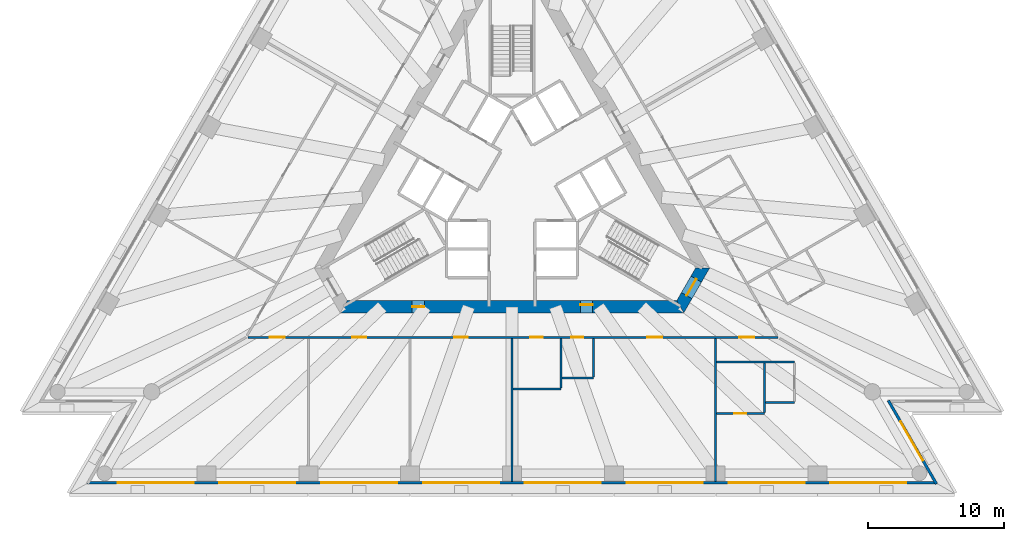
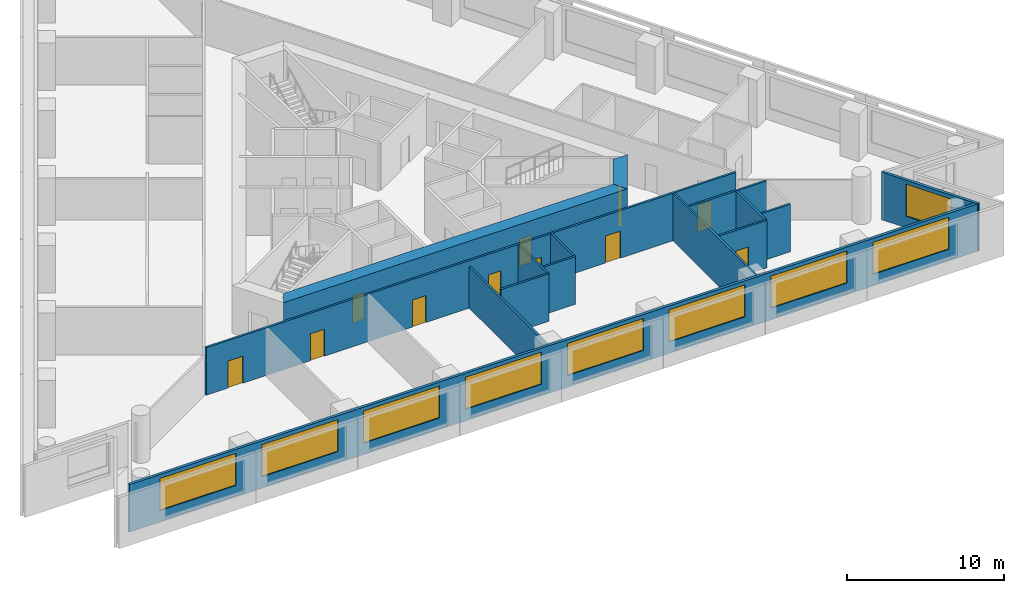
# One storey, part 4 of 9: 15 walls, 11 doors, 9 windows, 20 openings.
"""IFC4 building model written with IfcOpenShell, lengths in metres."""

from ifc_helpers import new_model, si_unit, direction, frame, frame_2d, origin, place, context, subcontext, project, spatial, polyline, rectangle, outline, extrude, material, layer, layer_set, layer_usage, type_object, element, fill, save


model = new_model("IFC4")

# Units and contexts
model_context = context("Model", 3, precision=1e-05, world=origin(), true_north=direction((0.0, 1.0)))
body_context = subcontext(model_context, "Body", "Model", "MODEL_VIEW")
ifc_project = project(units=[si_unit("LENGTHUNIT", "METRE"), si_unit("AREAUNIT", "SQUARE_METRE"), si_unit("VOLUMEUNIT", "CUBIC_METRE"), si_unit("PLANEANGLEUNIT", "RADIAN"), si_unit("MASSUNIT", "GRAM", prefix="KILO")], contexts=[model_context])

# Site, building, storey
site_placement = place(None, origin())
site = spatial("IfcSite", under=ifc_project, at=site_placement, CompositionType="ELEMENT")
building_placement = place(site_placement, origin())
building = spatial("IfcBuilding", under=site, at=building_placement, Name="Triada Interchange Tower", CompositionType="ELEMENT")
storey_placement = place(building_placement, frame((0.0, 0.0, 47.300048828125)))
storey = spatial("IfcBuildingStorey", under=building, at=storey_placement, Name="L09", CompositionType="ELEMENT", Elevation=47.300048828125)

# Wall, openings, doors
ifc_material_1 = material(Name="Concrete C70/85", Category="concrete")
ifc_layer_1 = layer(ifc_material_1, 0.89990234375)
ifc_layer_set_1 = layer_set([ifc_layer_1], Name="Core wall A 900")
wall_type_1 = type_object("IfcWallType", Name="Core wall A 900", PredefinedType="SHEAR", material=ifc_layer_set_1)
wall_1_placement = place(storey_placement, frame((-12.384033203125, -9.050048828125, -0.300048828125), z_axis=(0.0, 0.0, 1.0), x_axis=(1.0, 0.0, 0.0)))
wall_1 = element("IfcWall", 1, at=wall_1_placement, inside=storey, type_object=wall_type_1, Name="Core wall WA04 L09", PredefinedType="SHEAR", context=body_context, shape_type="SweptSolid", body=[
    extrude(outline(polyline([(-0.260009765625, -0.449951171875), (1.685302734375, -0.449951171875), (3.63037109375, -0.449951171875), (5.57568359375, -0.449951171875), (7.52099609375, -0.449951171875), (9.466064453125, -0.449951171875), (11.411376953125, -0.449951171875), (13.356689453125, -0.449951171875), (15.302001953125, -0.449951171875), (17.2470703125, -0.449951171875), (19.1923828125, -0.449951171875), (21.1376953125, -0.449951171875), (23.082763671875, -0.449951171875), (25.028076171875, -0.449951171875), (24.508056640625, 0.449951171875), (22.642822265625, 0.449951171875), (20.777587890625, 0.449951171875), (18.912353515625, 0.449951171875), (17.047119140625, 0.449951171875), (15.181884765625, 0.449951171875), (13.316650390625, 0.449951171875), (11.451416015625, 0.449951171875), (9.586181640625, 0.449951171875), (7.720947265625, 0.449951171875), (5.855712890625, 0.449951171875), (3.990478515625, 0.449951171875), (2.125244140625, 0.449951171875), (0.260009765625, 0.449951171875), (-0.260009765625, -0.449951171875)])), origin(), (0.0, 0.0, 1.0), 4.0),
])
opening_1_placement = place(wall_1_placement, frame((5.0400390625, 0.0, 0.300048828125)))
opening_1 = element("IfcOpeningElement", 2, at=opening_1_placement, cuts=wall_1, Name="Opening D09-40", PredefinedType="OPENING", context=body_context, shape_type="SweptSolid", body=[
    extrude(rectangle(XDim=0.89990234375, YDim=2.10009765625, at=frame_2d((0.449951171875, 1.050048828125))), frame((0.0, 0.4599609375, 0.0), z_axis=(0.0, -1.0, 0.0), x_axis=(1.0, 0.0, 0.0)), (0.0, 0.0, 1.0), 0.919921875),
])
opening_2_placement = place(wall_1_placement, frame((17.425048828125, 0.0, 0.300048828125)))
opening_2 = element("IfcOpeningElement", 3, at=opening_2_placement, cuts=wall_1, Name="Opening D09-41", PredefinedType="OPENING", context=body_context, shape_type="SweptSolid", body=[
    extrude(rectangle(XDim=0.89990234375, YDim=2.10009765625, at=frame_2d((0.449951171875, 1.050048828125))), frame((0.0, 0.4599609375, 0.0), z_axis=(0.0, -1.0, 0.0), x_axis=(1.0, 0.0, 0.0)), (0.0, 0.0, 1.0), 0.919921875),
])
ifc_material_2 = material(Name="Steel S235 door leaf", Category="steel")
door_type_1 = type_object("IfcDoorType", Name="SERVICE DOOR 900 EI2 45-C5S200", OperationType="NOTDEFINED", PredefinedType="DOOR", material=ifc_material_2)
door_1_placement = place(opening_1_placement, origin())
door_1 = element("IfcDoor", 4, at=door_1_placement, inside=storey, type_object=door_type_1, Name="Door D09-40 L09", OperationType="SINGLE_SWING_LEFT", OverallHeight=2.10009765625, OverallWidth=0.89990234375, PredefinedType="DOOR", context=body_context, shape_type="SweptSolid", body=[
    extrude(rectangle(XDim=0.89990234375, YDim=2.10009765625, at=frame_2d((0.449951171875, 1.050048828125))), frame((0.0, 0.02490234375, 0.0), z_axis=(0.0, -1.0, 0.0), x_axis=(1.0, 0.0, 0.0)), (0.0, 0.0, 1.0), 0.050048828125),
])
fill(opening_1, door_1)
door_2_placement = place(opening_2_placement, origin())
door_2 = element("IfcDoor", 5, at=door_2_placement, inside=storey, type_object=door_type_1, Name="Door D09-41 L09", OperationType="SINGLE_SWING_LEFT", OverallHeight=2.10009765625, OverallWidth=0.89990234375, PredefinedType="DOOR", context=body_context, shape_type="SweptSolid", body=[
    extrude(rectangle(XDim=0.89990234375, YDim=2.10009765625, at=frame_2d((0.449951171875, 1.050048828125))), frame((0.0, 0.1748046875, 0.0), z_axis=(0.0, -1.0, 0.0), x_axis=(1.0, 0.0, 0.0)), (0.0, 0.0, 1.0), 0.050048828125),
])
fill(opening_2, door_2)

# Wall, opening, door
wall_2_placement = place(storey_placement, frame((12.384033203125, -9.050048828125, -0.300048828125), z_axis=(0.0, 0.0, 1.0), x_axis=(0.500111984565, 0.865960739811, 0.0)))
wall_2 = element("IfcWall", 6, at=wall_2_placement, inside=storey, type_object=wall_type_1, Name="Core wall WA05 L09", PredefinedType="SHEAR", context=body_context, shape_type="SweptSolid", body=[
    extrude(outline(polyline([(-0.260009765625, -0.449951171875), (1.6455078125, -0.449462890625), (3.551025390625, -0.448974609375), (3.031005859375, 0.449951171875), (1.6455078125, 0.449951171875), (0.260009765625, 0.449951171875), (-0.260009765625, -0.449951171875)])), origin(), (0.0, 0.0, 1.0), 4.0),
])
opening_3_placement = place(wall_2_placement, frame((0.946044921875, 0.0, 0.300048828125)))
opening_3 = element("IfcOpeningElement", 7, at=opening_3_placement, cuts=wall_2, Name="Opening D09-38", PredefinedType="OPENING", context=body_context, shape_type="SweptSolid", body=[
    extrude(rectangle(XDim=1.39990234375, YDim=2.10009765625, at=frame_2d((0.699951171875, 1.050048828125))), frame((0.0, 0.4599609375, 0.0), z_axis=(0.0, -1.0, 0.0), x_axis=(1.0, 0.0, 0.0)), (0.0, 0.0, 1.0), 0.919921875),
])
door_type_2 = type_object("IfcDoorType", Name="STAIR DOOR 1400 EI2 90-C5S200", OperationType="DOUBLE_DOOR_SINGLE_SWING", PredefinedType="DOOR", material=ifc_material_2)
door_3_placement = place(opening_3_placement, origin())
door_3 = element("IfcDoor", 8, at=door_3_placement, inside=storey, type_object=door_type_2, Name="Door D09-38 L09", OperationType="DOUBLE_DOOR_SINGLE_SWING", OverallHeight=2.10009765625, OverallWidth=1.39990234375, PredefinedType="DOOR", context=body_context, shape_type="SweptSolid", body=[
    extrude(rectangle(XDim=1.39990234375, YDim=2.10009765625, at=frame_2d((0.699951171875, 1.050048828125))), frame((0.0, 0.02490234375, 0.0), z_axis=(0.0, -1.0, 0.0), x_axis=(1.0, 0.0, 0.0)), (0.0, 0.0, 1.0), 0.050048828125),
])
fill(opening_3, door_3)

# Wall, openings, windows
ifc_material_3 = material(Name="Cement board")
ifc_layer_2 = layer(ifc_material_3, 0.02001953125, Name="Cement board cladding")
ifc_material_4 = material(Name="Sheathing board")
ifc_layer_3 = layer(ifc_material_4, 0.014892578125, Name="Sheathing board")
ifc_material_5 = material(Name="Mineral wool")
ifc_layer_4 = layer(ifc_material_5, 0.14990234375, Name="Mineral wool between steel studs")
ifc_material_6 = material(Name="Gypsum board")
ifc_layer_5 = layer(ifc_material_6, 0.014892578125, Name="Plasterboard lining")
ifc_layer_set_2 = layer_set([ifc_layer_2, ifc_layer_3, ifc_layer_4, ifc_layer_5], Name="External wall 200")
ifc_layer_usage = layer_usage(ifc_layer_set_2, "AXIS2", "POSITIVE", -0.10009765625)
wall_type_2 = type_object("IfcWallType", Name="External wall 200", PredefinedType="ELEMENTEDWALL", material=ifc_layer_set_2)
wall_3_placement = place(storey_placement, frame((-31.283935546875, -22.007080078125, 0.0), z_axis=(0.0, 0.0, 1.0), x_axis=(1.0, 0.0, 0.0)))
wall_3 = element("IfcWall", 9, at=wall_3_placement, inside=storey, type_object=wall_type_2, material=ifc_layer_usage, Name="External wall L09 S", PredefinedType="ELEMENTEDWALL", context=body_context, shape_type="SweptSolid", body=[
    extrude(rectangle(XDim=62.5478515625, YDim=0.199951171875, at=frame_2d((31.27392578125, 0.0))), origin(), (0.0, 0.0, 1.0), 3.699951171875),
])
opening_4_placement = place(wall_3_placement, frame((2.2509765625, 0.0, 0.89990234375)))
opening_4 = element("IfcOpeningElement", 10, at=opening_4_placement, cuts=wall_3, Name="Opening WA11", PredefinedType="OPENING", context=body_context, shape_type="SweptSolid", body=[
    extrude(rectangle(XDim=5.60009765625, YDim=2.5, at=frame_2d((2.800048828125, 1.25))), frame((0.0, 0.10986328125, 0.0), z_axis=(0.0, -1.0, 0.0), x_axis=(1.0, 0.0, 0.0)), (0.0, 0.0, 1.0), 0.219970703125),
])
opening_5_placement = place(wall_3_placement, frame((9.74609375, 0.0, 0.89990234375)))
opening_5 = element("IfcOpeningElement", 11, at=opening_5_placement, cuts=wall_3, Name="Opening WA12", PredefinedType="OPENING", context=body_context, shape_type="SweptSolid", body=[
    extrude(rectangle(XDim=5.60009765625, YDim=2.5, at=frame_2d((2.800048828125, 1.25))), frame((0.0, 0.10986328125, 0.0), z_axis=(0.0, -1.0, 0.0), x_axis=(1.0, 0.0, 0.0)), (0.0, 0.0, 1.0), 0.219970703125),
])
opening_6_placement = place(wall_3_placement, frame((17.240966796875, 0.0, 0.89990234375)))
opening_6 = element("IfcOpeningElement", 12, at=opening_6_placement, cuts=wall_3, Name="Opening WA13", PredefinedType="OPENING", context=body_context, shape_type="SweptSolid", body=[
    extrude(rectangle(XDim=5.60009765625, YDim=2.5, at=frame_2d((2.800048828125, 1.25))), frame((0.0, 0.10986328125, 0.0), z_axis=(0.0, -1.0, 0.0), x_axis=(1.0, 0.0, 0.0)), (0.0, 0.0, 1.0), 0.219970703125),
])
opening_7_placement = place(wall_3_placement, frame((24.736083984375, 0.0, 0.89990234375)))
opening_7 = element("IfcOpeningElement", 13, at=opening_7_placement, cuts=wall_3, Name="Opening WA14", PredefinedType="OPENING", context=body_context, shape_type="SweptSolid", body=[
    extrude(rectangle(XDim=5.60009765625, YDim=2.5, at=frame_2d((2.800048828125, 1.25))), frame((0.0, 0.10986328125, 0.0), z_axis=(0.0, -1.0, 0.0), x_axis=(1.0, 0.0, 0.0)), (0.0, 0.0, 1.0), 0.219970703125),
])
opening_8_placement = place(wall_3_placement, frame((32.23193359375, 0.0, 0.89990234375)))
opening_8 = element("IfcOpeningElement", 14, at=opening_8_placement, cuts=wall_3, Name="Opening WA15", PredefinedType="OPENING", context=body_context, shape_type="SweptSolid", body=[
    extrude(rectangle(XDim=5.60009765625, YDim=2.5, at=frame_2d((2.800048828125, 1.25))), frame((0.0, 0.10986328125, 0.0), z_axis=(0.0, -1.0, 0.0), x_axis=(1.0, 0.0, 0.0)), (0.0, 0.0, 1.0), 0.219970703125),
])
opening_9_placement = place(wall_3_placement, frame((39.72705078125, 0.0, 0.89990234375)))
opening_9 = element("IfcOpeningElement", 15, at=opening_9_placement, cuts=wall_3, Name="Opening WA16", PredefinedType="OPENING", context=body_context, shape_type="SweptSolid", body=[
    extrude(rectangle(XDim=5.60009765625, YDim=2.5, at=frame_2d((2.800048828125, 1.25))), frame((0.0, 0.10986328125, 0.0), z_axis=(0.0, -1.0, 0.0), x_axis=(1.0, 0.0, 0.0)), (0.0, 0.0, 1.0), 0.219970703125),
])
opening_10_placement = place(wall_3_placement, frame((47.221923828125, 0.0, 0.89990234375)))
opening_10 = element("IfcOpeningElement", 16, at=opening_10_placement, cuts=wall_3, Name="Opening WA17", PredefinedType="OPENING", context=body_context, shape_type="SweptSolid", body=[
    extrude(rectangle(XDim=5.60009765625, YDim=2.5, at=frame_2d((2.800048828125, 1.25))), frame((0.0, 0.10986328125, 0.0), z_axis=(0.0, -1.0, 0.0), x_axis=(1.0, 0.0, 0.0)), (0.0, 0.0, 1.0), 0.219970703125),
])
opening_11_placement = place(wall_3_placement, frame((54.717041015625, 0.0, 0.89990234375)))
opening_11 = element("IfcOpeningElement", 17, at=opening_11_placement, cuts=wall_3, Name="Opening WA18", PredefinedType="OPENING", context=body_context, shape_type="SweptSolid", body=[
    extrude(rectangle(XDim=5.60009765625, YDim=2.5, at=frame_2d((2.800048828125, 1.25))), frame((0.0, 0.10986328125, 0.0), z_axis=(0.0, -1.0, 0.0), x_axis=(1.0, 0.0, 0.0)), (0.0, 0.0, 1.0), 0.219970703125),
])
ifc_material_7 = material(Name="Double glazed aluminium window", Category="aluminium")
window_type_1 = type_object("IfcWindowType", Name="Ribbon window A face", PartitioningType="SINGLE_PANEL", PredefinedType="WINDOW", material=ifc_material_7)
window_1_placement = place(opening_4_placement, origin())
window_1 = element("IfcWindow", 18, at=window_1_placement, inside=storey, type_object=window_type_1, Name="Window L09 S 1", OverallHeight=2.5, OverallWidth=5.60009765625, PartitioningType="SINGLE_PANEL", PredefinedType="WINDOW", context=body_context, shape_type="SweptSolid", body=[
    extrude(rectangle(XDim=5.60009765625, YDim=2.5, at=frame_2d((2.800048828125, 1.25))), frame((0.0, 0.030029296875, 0.0), z_axis=(0.0, -1.0, 0.0), x_axis=(1.0, 0.0, 0.0)), (0.0, 0.0, 1.0), 0.06005859375),
])
fill(opening_4, window_1)
window_2_placement = place(opening_5_placement, origin())
window_2 = element("IfcWindow", 19, at=window_2_placement, inside=storey, type_object=window_type_1, Name="Window L09 S 2", OverallHeight=2.5, OverallWidth=5.60009765625, PartitioningType="SINGLE_PANEL", PredefinedType="WINDOW", context=body_context, shape_type="SweptSolid", body=[
    extrude(rectangle(XDim=5.60009765625, YDim=2.5, at=frame_2d((2.800048828125, 1.25))), frame((0.0, 0.030029296875, 0.0), z_axis=(0.0, -1.0, 0.0), x_axis=(1.0, 0.0, 0.0)), (0.0, 0.0, 1.0), 0.06005859375),
])
fill(opening_5, window_2)
window_3_placement = place(opening_6_placement, origin())
window_3 = element("IfcWindow", 20, at=window_3_placement, inside=storey, type_object=window_type_1, Name="Window L09 S 3", OverallHeight=2.5, OverallWidth=5.60009765625, PartitioningType="SINGLE_PANEL", PredefinedType="WINDOW", context=body_context, shape_type="SweptSolid", body=[
    extrude(rectangle(XDim=5.60009765625, YDim=2.5, at=frame_2d((2.800048828125, 1.25))), frame((0.0, 0.030029296875, 0.0), z_axis=(0.0, -1.0, 0.0), x_axis=(1.0, 0.0, 0.0)), (0.0, 0.0, 1.0), 0.06005859375),
])
fill(opening_6, window_3)
window_4_placement = place(opening_7_placement, origin())
window_4 = element("IfcWindow", 21, at=window_4_placement, inside=storey, type_object=window_type_1, Name="Window L09 S 4", OverallHeight=2.5, OverallWidth=5.60009765625, PartitioningType="SINGLE_PANEL", PredefinedType="WINDOW", context=body_context, shape_type="SweptSolid", body=[
    extrude(rectangle(XDim=5.60009765625, YDim=2.5, at=frame_2d((2.800048828125, 1.25))), frame((0.0, 0.030029296875, 0.0), z_axis=(0.0, -1.0, 0.0), x_axis=(1.0, 0.0, 0.0)), (0.0, 0.0, 1.0), 0.06005859375),
])
fill(opening_7, window_4)
window_5_placement = place(opening_8_placement, origin())
window_5 = element("IfcWindow", 22, at=window_5_placement, inside=storey, type_object=window_type_1, Name="Window L09 S 5", OverallHeight=2.5, OverallWidth=5.60009765625, PartitioningType="SINGLE_PANEL", PredefinedType="WINDOW", context=body_context, shape_type="SweptSolid", body=[
    extrude(rectangle(XDim=5.60009765625, YDim=2.5, at=frame_2d((2.800048828125, 1.25))), frame((0.0, 0.030029296875, 0.0), z_axis=(0.0, -1.0, 0.0), x_axis=(1.0, 0.0, 0.0)), (0.0, 0.0, 1.0), 0.06005859375),
])
fill(opening_8, window_5)
window_6_placement = place(opening_9_placement, origin())
window_6 = element("IfcWindow", 23, at=window_6_placement, inside=storey, type_object=window_type_1, Name="Window L09 S 6", OverallHeight=2.5, OverallWidth=5.60009765625, PartitioningType="SINGLE_PANEL", PredefinedType="WINDOW", context=body_context, shape_type="SweptSolid", body=[
    extrude(rectangle(XDim=5.60009765625, YDim=2.5, at=frame_2d((2.800048828125, 1.25))), frame((0.0, 0.030029296875, 0.0), z_axis=(0.0, -1.0, 0.0), x_axis=(1.0, 0.0, 0.0)), (0.0, 0.0, 1.0), 0.06005859375),
])
fill(opening_9, window_6)
window_7_placement = place(opening_10_placement, origin())
window_7 = element("IfcWindow", 24, at=window_7_placement, inside=storey, type_object=window_type_1, Name="Window L09 S 7", OverallHeight=2.5, OverallWidth=5.60009765625, PartitioningType="SINGLE_PANEL", PredefinedType="WINDOW", context=body_context, shape_type="SweptSolid", body=[
    extrude(rectangle(XDim=5.60009765625, YDim=2.5, at=frame_2d((2.800048828125, 1.25))), frame((0.0, 0.030029296875, 0.0), z_axis=(0.0, -1.0, 0.0), x_axis=(1.0, 0.0, 0.0)), (0.0, 0.0, 1.0), 0.06005859375),
])
fill(opening_10, window_7)
window_8_placement = place(opening_11_placement, origin())
window_8 = element("IfcWindow", 25, at=window_8_placement, inside=storey, type_object=window_type_1, Name="Window L09 S 8", OverallHeight=2.5, OverallWidth=5.60009765625, PartitioningType="SINGLE_PANEL", PredefinedType="WINDOW", context=body_context, shape_type="SweptSolid", body=[
    extrude(rectangle(XDim=5.60009765625, YDim=2.5, at=frame_2d((2.800048828125, 1.25))), frame((0.0, 0.030029296875, 0.0), z_axis=(0.0, -1.0, 0.0), x_axis=(1.0, 0.0, 0.0)), (0.0, 0.0, 1.0), 0.06005859375),
])
fill(opening_11, window_8)

# Wall, opening, window
wall_4_placement = place(storey_placement, frame((31.239013671875, -22.0849609375, 0.0), z_axis=(0.0, 0.0, 1.0), x_axis=(-0.499993928037, 0.866028909405, 0.0)))
wall_4 = element("IfcWall", 26, at=wall_4_placement, inside=storey, type_object=wall_type_2, material=ifc_layer_usage, Name="External wall L09 SE-1", PredefinedType="ELEMENTEDWALL", context=body_context, shape_type="SweptSolid", body=[
    extrude(rectangle(XDim=7.083984375, YDim=0.199951171875, at=frame_2d((3.5419921875, 0.0))), origin(), (0.0, 0.0, 1.0), 3.699951171875),
])
opening_12_placement = place(wall_4_placement, frame((1.989990234375, 0.0, 0.89990234375)))
opening_12 = element("IfcOpeningElement", 27, at=opening_12_placement, cuts=wall_4, Name="Opening WA19", PredefinedType="OPENING", context=body_context, shape_type="SweptSolid", body=[
    extrude(rectangle(XDim=3.300048828125, YDim=2.5, at=frame_2d((1.64990234375, 1.25))), frame((0.0, 0.10986328125, 0.0), z_axis=(0.0, -1.0, 0.0), x_axis=(1.0, 0.0, 0.0)), (0.0, 0.0, 1.0), 0.219970703125),
])
window_type_2 = type_object("IfcWindowType", Name="Ribbon window A pocket", PartitioningType="SINGLE_PANEL", PredefinedType="WINDOW", material=ifc_material_7)
window_9_placement = place(opening_12_placement, origin())
window_9 = element("IfcWindow", 28, at=window_9_placement, inside=storey, type_object=window_type_2, Name="Window L09 SE-1 1", OverallHeight=2.5, OverallWidth=3.300048828125, PartitioningType="SINGLE_PANEL", PredefinedType="WINDOW", context=body_context, shape_type="SweptSolid", body=[
    extrude(rectangle(XDim=3.300048828125, YDim=2.5, at=frame_2d((1.64990234375, 1.25))), frame((0.0, 0.030029296875, 0.0), z_axis=(0.0, -1.0, 0.0), x_axis=(1.0, 0.0, 0.0)), (0.0, 0.0, 1.0), 0.06005859375),
])
fill(opening_12, window_9)

# Wall, openings, doors
ifc_material_8 = material(Name="Gypsum board partition")
ifc_layer_6 = layer(ifc_material_8, 0.14990234375)
ifc_layer_set_3 = layer_set([ifc_layer_6], Name="PARTITION 150 EI 180")
wall_type_3 = type_object("IfcWallType", Name="PARTITION 150 EI 180", PredefinedType="PARTITIONING", material=ifc_layer_set_3)
wall_5_placement = place(storey_placement, frame((-19.422119140625, -11.300048828125, 0.0), z_axis=(0.0, 0.0, 1.0), x_axis=(1.0, 0.0, 0.0)))
wall_5 = element("IfcWall", 29, at=wall_5_placement, inside=storey, type_object=wall_type_3, Name="Wall L09 5", PredefinedType="PARTITIONING", context=body_context, shape_type="SweptSolid", body=[
    extrude(rectangle(XDim=38.994140625, YDim=0.14990234375, at=frame_2d((19.4970703125, 0.0))), origin(), (0.0, 0.0, 1.0), 3.699951171875),
])
opening_13_placement = place(wall_5_placement, frame((1.60009765625, 0.0, 0.0)))
opening_13 = element("IfcOpeningElement", 30, at=opening_13_placement, cuts=wall_5, Name="Opening D09-11", PredefinedType="OPENING", context=body_context, shape_type="SweptSolid", body=[
    extrude(rectangle(XDim=1.10009765625, YDim=2.10009765625, at=frame_2d((0.550048828125, 1.050048828125))), frame((0.0, 0.0849609375, 0.0), z_axis=(0.0, -1.0, 0.0), x_axis=(1.0, 0.0, 0.0)), (0.0, 0.0, 1.0), 0.169921875),
])
opening_14_placement = place(wall_5_placement, frame((7.681884765625, 0.0, 0.0)))
opening_14 = element("IfcOpeningElement", 31, at=opening_14_placement, cuts=wall_5, Name="Opening D09-12", PredefinedType="OPENING", context=body_context, shape_type="SweptSolid", body=[
    extrude(rectangle(XDim=1.0, YDim=2.10009765625, at=frame_2d((0.5, 1.050048828125))), frame((0.0, 0.0849609375, 0.0), z_axis=(0.0, -1.0, 0.0), x_axis=(1.0, 0.0, 0.0)), (0.0, 0.0, 1.0), 0.169921875),
])
opening_15_placement = place(wall_5_placement, frame((15.177001953125, 0.0, 0.0)))
opening_15 = element("IfcOpeningElement", 32, at=opening_15_placement, cuts=wall_5, Name="Opening D09-13", PredefinedType="OPENING", context=body_context, shape_type="SweptSolid", body=[
    extrude(rectangle(XDim=1.0, YDim=2.10009765625, at=frame_2d((0.5, 1.050048828125))), frame((0.0, 0.0849609375, 0.0), z_axis=(0.0, -1.0, 0.0), x_axis=(1.0, 0.0, 0.0)), (0.0, 0.0, 1.0), 0.169921875),
])
opening_16_placement = place(wall_5_placement, frame((29.3720703125, 0.0, 0.0)))
opening_16 = element("IfcOpeningElement", 33, at=opening_16_placement, cuts=wall_5, Name="Opening D09-14", PredefinedType="OPENING", context=body_context, shape_type="SweptSolid", body=[
    extrude(rectangle(XDim=1.10009765625, YDim=2.10009765625, at=frame_2d((0.550048828125, 1.050048828125))), frame((0.0, 0.0849609375, 0.0), z_axis=(0.0, -1.0, 0.0), x_axis=(1.0, 0.0, 0.0)), (0.0, 0.0, 1.0), 0.169921875),
])
opening_17_placement = place(wall_5_placement, frame((20.77197265625, 0.0, 0.0)))
opening_17 = element("IfcOpeningElement", 34, at=opening_17_placement, cuts=wall_5, Name="Opening D09-15", PredefinedType="OPENING", context=body_context, shape_type="SweptSolid", body=[
    extrude(rectangle(XDim=0.89990234375, YDim=2.10009765625, at=frame_2d((0.449951171875, 1.050048828125))), frame((0.0, 0.0849609375, 0.0), z_axis=(0.0, -1.0, 0.0), x_axis=(1.0, 0.0, 0.0)), (0.0, 0.0, 1.0), 0.169921875),
])
opening_18_placement = place(wall_5_placement, frame((23.77197265625, 0.0, 0.0)))
opening_18 = element("IfcOpeningElement", 35, at=opening_18_placement, cuts=wall_5, Name="Opening D09-16", PredefinedType="OPENING", context=body_context, shape_type="SweptSolid", body=[
    extrude(rectangle(XDim=0.89990234375, YDim=2.10009765625, at=frame_2d((0.449951171875, 1.050048828125))), frame((0.0, 0.0849609375, 0.0), z_axis=(0.0, -1.0, 0.0), x_axis=(1.0, 0.0, 0.0)), (0.0, 0.0, 1.0), 0.169921875),
])
opening_19_placement = place(wall_5_placement, frame((36.1630859375, 0.0, 0.0)))
opening_19 = element("IfcOpeningElement", 36, at=opening_19_placement, cuts=wall_5, Name="Opening D09-17", PredefinedType="OPENING", context=body_context, shape_type="SweptSolid", body=[
    extrude(rectangle(XDim=1.10009765625, YDim=2.10009765625, at=frame_2d((0.550048828125, 1.050048828125))), frame((0.0, 0.0849609375, 0.0), z_axis=(0.0, -1.0, 0.0), x_axis=(1.0, 0.0, 0.0)), (0.0, 0.0, 1.0), 0.169921875),
])
door_type_3 = type_object("IfcDoorType", Name="ROOM DOOR 1000 EI2 90-C5S200", OperationType="NOTDEFINED", PredefinedType="DOOR", material=ifc_material_2)
door_4_placement = place(opening_14_placement, origin())
door_4 = element("IfcDoor", 37, at=door_4_placement, inside=storey, type_object=door_type_3, Name="Door D09-12 L09", OperationType="SINGLE_SWING_RIGHT", OverallHeight=2.10009765625, OverallWidth=1.0, PredefinedType="DOOR", context=body_context, shape_type="SweptSolid", body=[
    extrude(rectangle(XDim=1.0, YDim=2.10009765625, at=frame_2d((0.5, 1.050048828125))), frame((0.0, 0.02490234375, 0.0), z_axis=(0.0, -1.0, 0.0), x_axis=(1.0, 0.0, 0.0)), (0.0, 0.0, 1.0), 0.050048828125),
])
fill(opening_14, door_4)
door_5_placement = place(opening_15_placement, origin())
door_5 = element("IfcDoor", 38, at=door_5_placement, inside=storey, type_object=door_type_3, Name="Door D09-13 L09", OperationType="SINGLE_SWING_RIGHT", OverallHeight=2.10009765625, OverallWidth=1.0, PredefinedType="DOOR", context=body_context, shape_type="SweptSolid", body=[
    extrude(rectangle(XDim=1.0, YDim=2.10009765625, at=frame_2d((0.5, 1.050048828125))), frame((0.0, 0.02490234375, 0.0), z_axis=(0.0, -1.0, 0.0), x_axis=(1.0, 0.0, 0.0)), (0.0, 0.0, 1.0), 0.050048828125),
])
fill(opening_15, door_5)
door_type_4 = type_object("IfcDoorType", Name="ROOM DOOR 900 EI2 90-C5S200", OperationType="NOTDEFINED", PredefinedType="DOOR", material=ifc_material_2)
door_6_placement = place(opening_17_placement, origin())
door_6 = element("IfcDoor", 39, at=door_6_placement, inside=storey, type_object=door_type_4, Name="Door D09-15 L09", OperationType="SINGLE_SWING_RIGHT", OverallHeight=2.10009765625, OverallWidth=0.89990234375, PredefinedType="DOOR", context=body_context, shape_type="SweptSolid", body=[
    extrude(rectangle(XDim=0.89990234375, YDim=2.10009765625, at=frame_2d((0.449951171875, 1.050048828125))), frame((0.0, 0.02490234375, 0.0), z_axis=(0.0, -1.0, 0.0), x_axis=(1.0, 0.0, 0.0)), (0.0, 0.0, 1.0), 0.050048828125),
])
fill(opening_17, door_6)
door_7_placement = place(opening_18_placement, origin())
door_7 = element("IfcDoor", 40, at=door_7_placement, inside=storey, type_object=door_type_4, Name="Door D09-16 L09", OperationType="SINGLE_SWING_RIGHT", OverallHeight=2.10009765625, OverallWidth=0.89990234375, PredefinedType="DOOR", context=body_context, shape_type="SweptSolid", body=[
    extrude(rectangle(XDim=0.89990234375, YDim=2.10009765625, at=frame_2d((0.449951171875, 1.050048828125))), frame((0.0, 0.02490234375, 0.0), z_axis=(0.0, -1.0, 0.0), x_axis=(1.0, 0.0, 0.0)), (0.0, 0.0, 1.0), 0.050048828125),
])
fill(opening_18, door_7)
door_type_5 = type_object("IfcDoorType", Name="TENANCY ENTRANCE DOOR 1100 EI2 90-C5S200", OperationType="NOTDEFINED", PredefinedType="DOOR", material=ifc_material_2)
door_8_placement = place(opening_13_placement, origin())
door_8 = element("IfcDoor", 41, at=door_8_placement, inside=storey, type_object=door_type_5, Name="Door D09-11 L09", OperationType="SINGLE_SWING_RIGHT", OverallHeight=2.10009765625, OverallWidth=1.10009765625, PredefinedType="DOOR", context=body_context, shape_type="SweptSolid", body=[
    extrude(rectangle(XDim=1.10009765625, YDim=2.10009765625, at=frame_2d((0.550048828125, 1.050048828125))), frame((0.0, 0.02490234375, 0.0), z_axis=(0.0, -1.0, 0.0), x_axis=(1.0, 0.0, 0.0)), (0.0, 0.0, 1.0), 0.050048828125),
])
fill(opening_13, door_8)
door_9_placement = place(opening_16_placement, origin())
door_9 = element("IfcDoor", 42, at=door_9_placement, inside=storey, type_object=door_type_5, Name="Door D09-14 L09", OperationType="SINGLE_SWING_RIGHT", OverallHeight=2.10009765625, OverallWidth=1.10009765625, PredefinedType="DOOR", context=body_context, shape_type="SweptSolid", body=[
    extrude(rectangle(XDim=1.10009765625, YDim=2.10009765625, at=frame_2d((0.550048828125, 1.050048828125))), frame((0.0, 0.02490234375, 0.0), z_axis=(0.0, -1.0, 0.0), x_axis=(1.0, 0.0, 0.0)), (0.0, 0.0, 1.0), 0.050048828125),
])
fill(opening_16, door_9)
door_10_placement = place(opening_19_placement, origin())
door_10 = element("IfcDoor", 43, at=door_10_placement, inside=storey, type_object=door_type_5, Name="Door D09-17 L09", OperationType="SINGLE_SWING_LEFT", OverallHeight=2.10009765625, OverallWidth=1.10009765625, PredefinedType="DOOR", context=body_context, shape_type="SweptSolid", body=[
    extrude(rectangle(XDim=1.10009765625, YDim=2.10009765625, at=frame_2d((0.550048828125, 1.050048828125))), frame((0.0, 0.02490234375, 0.0), z_axis=(0.0, -1.0, 0.0), x_axis=(1.0, 0.0, 0.0)), (0.0, 0.0, 1.0), 0.050048828125),
])
fill(opening_19, door_10)

# Walls
wall_6_placement = place(storey_placement, frame((0.0, -21.927001953125, 0.0), z_axis=(0.0, 0.0, 1.0), x_axis=(0.0, 1.0, 0.0)))
element("IfcWall", 44, at=wall_6_placement, inside=storey, type_object=wall_type_3, Name="Wall L09 15", PredefinedType="PARTITIONING", context=body_context, shape_type="SweptSolid", body=[
    extrude(rectangle(XDim=10.552001953125, YDim=0.14990234375, at=frame_2d((5.27587890625, 0.0))), origin(), (0.0, 0.0, 1.0), 3.199951171875),
])
wall_7_placement = place(storey_placement, frame((0.074951171875, -15.10009765625, 0.0), z_axis=(0.0, 0.0, 1.0), x_axis=(1.0, 0.0, 0.0)))
element("IfcWall", 45, at=wall_7_placement, inside=storey, type_object=wall_type_3, Name="Wall L09 17", PredefinedType="PARTITIONING", context=body_context, shape_type="SweptSolid", body=[
    extrude(rectangle(XDim=3.525146484375, YDim=0.14990234375, at=frame_2d((1.7626953125, 0.0))), origin(), (0.0, 0.0, 1.0), 3.699951171875),
])
wall_8_placement = place(storey_placement, frame((3.60009765625, -15.02490234375, 0.0), z_axis=(0.0, 0.0, 1.0), x_axis=(0.0, 1.0, 0.0)))
element("IfcWall", 46, at=wall_8_placement, inside=storey, type_object=wall_type_3, Name="Wall L09 18", PredefinedType="PARTITIONING", context=body_context, shape_type="SweptSolid", body=[
    extrude(rectangle(XDim=3.64990234375, YDim=0.14990234375, at=frame_2d((1.824951171875, 0.0))), origin(), (0.0, 0.0, 1.0), 3.699951171875),
])
wall_9_placement = place(storey_placement, frame((3.675048828125, -14.300048828125, 0.0), z_axis=(0.0, 0.0, 1.0), x_axis=(1.0, 0.0, 0.0)))
element("IfcWall", 47, at=wall_9_placement, inside=storey, type_object=wall_type_3, Name="Wall L09 20", PredefinedType="PARTITIONING", context=body_context, shape_type="SweptSolid", body=[
    extrude(rectangle(XDim=2.324951171875, YDim=0.14990234375, at=frame_2d((1.16259765625, 0.0))), origin(), (0.0, 0.0, 1.0), 3.699951171875),
])
wall_10_placement = place(storey_placement, frame((6.0, -14.22509765625, 0.0), z_axis=(0.0, 0.0, 1.0), x_axis=(0.0, 1.0, 0.0)))
element("IfcWall", 48, at=wall_10_placement, inside=storey, type_object=wall_type_3, Name="Wall L09 21", PredefinedType="PARTITIONING", context=body_context, shape_type="SweptSolid", body=[
    extrude(rectangle(XDim=2.85009765625, YDim=0.14990234375, at=frame_2d((1.425048828125, 0.0))), origin(), (0.0, 0.0, 1.0), 3.699951171875),
])
wall_11_placement = place(storey_placement, frame((14.990966796875, -21.927001953125, 0.0), z_axis=(0.0, 0.0, 1.0), x_axis=(0.0, 1.0, 0.0)))
element("IfcWall", 49, at=wall_11_placement, inside=storey, type_object=wall_type_3, Name="Wall L09 25", PredefinedType="PARTITIONING", context=body_context, shape_type="SweptSolid", body=[
    extrude(rectangle(XDim=10.552001953125, YDim=0.14990234375, at=frame_2d((5.27587890625, 0.0))), origin(), (0.0, 0.0, 1.0), 3.699951171875),
])

# Wall, opening, door
ifc_layer_7 = layer(ifc_material_8, 0.14990234375)
ifc_layer_set_4 = layer_set([ifc_layer_7], Name="PARTITION 150 EI 90")
wall_type_4 = type_object("IfcWallType", Name="PARTITION 150 EI 90", PredefinedType="PARTITIONING", material=ifc_layer_set_4)
wall_12_placement = place(storey_placement, frame((15.06591796875, -16.89990234375, 0.0), z_axis=(0.0, 0.0, 1.0), x_axis=(1.0, 0.0, 0.0)))
wall_12 = element("IfcWall", 50, at=wall_12_placement, inside=storey, type_object=wall_type_4, Name="Wall L09 29", PredefinedType="PARTITIONING", context=body_context, shape_type="SweptSolid", body=[
    extrude(rectangle(XDim=3.525146484375, YDim=0.14990234375, at=frame_2d((1.7626953125, 0.0))), origin(), (0.0, 0.0, 1.0), 3.699951171875),
])
opening_20_placement = place(wall_12_placement, frame((1.27490234375, 0.0, 0.0)))
opening_20 = element("IfcOpeningElement", 51, at=opening_20_placement, cuts=wall_12, Name="Opening D09-18", PredefinedType="OPENING", context=body_context, shape_type="SweptSolid", body=[
    extrude(rectangle(XDim=0.89990234375, YDim=2.10009765625, at=frame_2d((0.449951171875, 1.050048828125))), frame((0.0, 0.0849609375, 0.0), z_axis=(0.0, -1.0, 0.0), x_axis=(1.0, 0.0, 0.0)), (0.0, 0.0, 1.0), 0.169921875),
])
door_type_6 = type_object("IfcDoorType", Name="ROOM DOOR 900 EI2 45-C5S200", OperationType="NOTDEFINED", PredefinedType="DOOR", material=ifc_material_2)
door_11_placement = place(opening_20_placement, origin())
door_11 = element("IfcDoor", 52, at=door_11_placement, inside=storey, type_object=door_type_6, Name="Door D09-18 L09", OperationType="SINGLE_SWING_LEFT", OverallHeight=2.10009765625, OverallWidth=0.89990234375, PredefinedType="DOOR", context=body_context, shape_type="SweptSolid", body=[
    extrude(rectangle(XDim=0.89990234375, YDim=2.10009765625, at=frame_2d((0.449951171875, 1.050048828125))), frame((0.0, 0.02490234375, 0.0), z_axis=(0.0, -1.0, 0.0), x_axis=(1.0, 0.0, 0.0)), (0.0, 0.0, 1.0), 0.050048828125),
])
fill(opening_20, door_11)

# Walls
wall_13_placement = place(storey_placement, frame((18.591064453125, -16.824951171875, 0.0), z_axis=(0.0, 0.0, 1.0), x_axis=(0.0, 1.0, 0.0)))
element("IfcWall", 53, at=wall_13_placement, inside=storey, type_object=wall_type_4, Name="Wall L09 30", PredefinedType="PARTITIONING", context=body_context, shape_type="SweptSolid", body=[
    extrude(rectangle(XDim=3.64990234375, YDim=0.14990234375, at=frame_2d((1.824951171875, 0.0))), origin(), (0.0, 0.0, 1.0), 3.699951171875),
])
wall_14_placement = place(storey_placement, frame((15.06591796875, -13.10009765625, 0.0), z_axis=(0.0, 0.0, 1.0), x_axis=(1.0, 0.0, 0.0)))
element("IfcWall", 54, at=wall_14_placement, inside=storey, type_object=wall_type_4, Name="Wall L09 31", PredefinedType="PARTITIONING", context=body_context, shape_type="SweptSolid", body=[
    extrude(rectangle(XDim=5.72509765625, YDim=0.14990234375, at=frame_2d((2.862548828125, 0.0))), origin(), (0.0, 0.0, 1.0), 3.699951171875),
])
wall_15_placement = place(storey_placement, frame((18.666015625, -16.10009765625, 0.0), z_axis=(0.0, 0.0, 1.0), x_axis=(1.0, 0.0, 0.0)))
element("IfcWall", 55, at=wall_15_placement, inside=storey, type_object=wall_type_4, Name="Wall L09 32", PredefinedType="PARTITIONING", context=body_context, shape_type="SweptSolid", body=[
    extrude(rectangle(XDim=2.125, YDim=0.14990234375, at=frame_2d((1.0625, 0.0))), origin(), (0.0, 0.0, 1.0), 3.699951171875),
])

save(model, "model.ifc")
